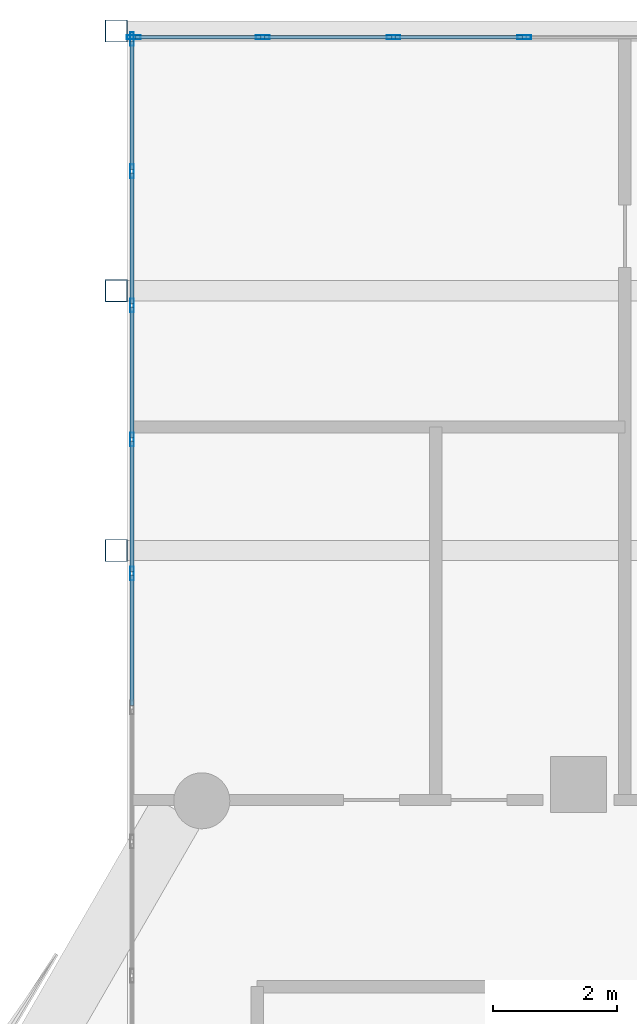
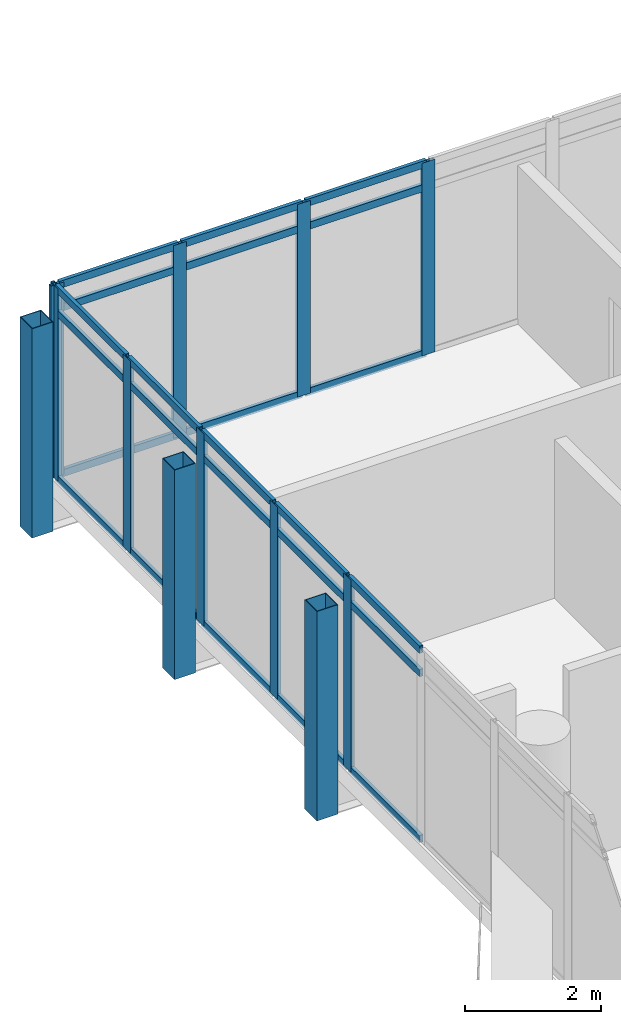
# One storey, part 19 of 37: 36 members, 2 elements without a shape of their own.
"""IFC4 building model written with IfcOpenShell, lengths in metres."""

from ifc_helpers import new_model, si_unit, direction, frame, origin, origin_2d, place, context, subcontext, project, spatial, hollow_rectangle, extrude, material, material_profile, profile_set, type_object, element, aggregate, save


model = new_model("IFC4")

# Units and contexts
model_context = context("Model", 3, precision=1e-05, world=origin(), true_north=direction((0.0, 1.0)))
body_context = subcontext(model_context, "Body", "Model", "MODEL_VIEW")
ifc_project = project(units=[si_unit("LENGTHUNIT", "METRE"), si_unit("AREAUNIT", "SQUARE_METRE"), si_unit("VOLUMEUNIT", "CUBIC_METRE"), si_unit("PLANEANGLEUNIT", "RADIAN"), si_unit("MASSUNIT", "GRAM", prefix="KILO")], contexts=[model_context])

# Site, building, storey
site_placement = place(None, origin())
site = spatial("IfcSite", under=ifc_project, at=site_placement, CompositionType="ELEMENT")
building_placement = place(site_placement, origin())
building = spatial("IfcBuilding", under=site, at=building_placement, Name="Ostrander Bayou Hotel Tower", CompositionType="ELEMENT")
storey_placement = place(building_placement, frame((0.0, 0.0, 225.75)))
storey = spatial("IfcBuildingStorey", under=building, at=storey_placement, Name="L56", CompositionType="ELEMENT", Elevation=225.75)

# Curtain wall, members
ifc_material_1 = material(Name="Aluminium and clear glass", Category="aluminium")
curtain_wall_type = type_object("IfcCurtainWallType", Name="CW-BAR glazed wall", PredefinedType="NOTDEFINED", material=ifc_material_1)
curtain_wall_1_placement = place(storey_placement, origin())
curtain_wall_1 = element("IfcCurtainWall", 1, at=curtain_wall_1_placement, inside=storey, type_object=curtain_wall_type, Name="CW-BAR L56:SB5N:E", PredefinedType="NOTDEFINED")
ifc_material_2 = material(Name="Aluminium", Category="aluminium")
ifc_material_profile_1 = material_profile(ifc_material_2, hollow_rectangle(XDim=0.06005859375, YDim=0.219970703125, WallThickness=0.00390625, at=origin_2d()))
ifc_profile_set_1 = profile_set([ifc_material_profile_1], Name="Aluminium")
member_type_1 = type_object("IfcMemberType", Name="CW-BR mullion 60 x 220 mm", PredefinedType="MULLION", material=ifc_profile_set_1)
member_1_placement = place(storey_placement, frame((-10.51220703125, 20.24365234375, 0.0), z_axis=(0.0, 0.0, 1.0), x_axis=(-1.0, 0.0, 0.0)))
member_1 = element("IfcMember", 2, at=member_1_placement, type_object=member_type_1, Name="CW-BAR mullion 6", PredefinedType="MULLION", context=body_context, shape_type="SweptSolid", body=[
    extrude(hollow_rectangle(XDim=0.06005859375, YDim=0.219970703125, WallThickness=0.00390625, at=origin_2d()), origin(), (0.0, 0.0, 1.0), 3.449951171875),
])
member_2_placement = place(storey_placement, frame((-10.51220703125, 22.3994140625, 0.0), z_axis=(0.0, 0.0, 1.0), x_axis=(-1.0, 0.0, 0.0)))
member_2 = element("IfcMember", 3, at=member_2_placement, type_object=member_type_1, Name="CW-BAR mullion 7", PredefinedType="MULLION", context=body_context, shape_type="SweptSolid", body=[
    extrude(hollow_rectangle(XDim=0.06005859375, YDim=0.219970703125, WallThickness=0.00390625, at=origin_2d()), origin(), (0.0, 0.0, 1.0), 3.449951171875),
])
member_3_placement = place(storey_placement, frame((-10.51220703125, 24.55517578125, 0.0), z_axis=(0.0, 0.0, 1.0), x_axis=(-1.0, 0.0, 0.0)))
member_3 = element("IfcMember", 4, at=member_3_placement, type_object=member_type_1, Name="CW-BAR mullion 8", PredefinedType="MULLION", context=body_context, shape_type="SweptSolid", body=[
    extrude(hollow_rectangle(XDim=0.06005859375, YDim=0.219970703125, WallThickness=0.00390625, at=origin_2d()), origin(), (0.0, 0.0, 1.0), 3.449951171875),
])
member_4_placement = place(storey_placement, frame((-10.51220703125, 26.7109375, 0.0), z_axis=(0.0, 0.0, 1.0), x_axis=(-1.0, 0.0, 0.0)))
member_4 = element("IfcMember", 5, at=member_4_placement, type_object=member_type_1, Name="CW-BAR mullion 9", PredefinedType="MULLION", context=body_context, shape_type="SweptSolid", body=[
    extrude(hollow_rectangle(XDim=0.06005859375, YDim=0.219970703125, WallThickness=0.00390625, at=origin_2d()), origin(), (0.0, 0.0, 1.0), 3.449951171875),
])
member_5_placement = place(storey_placement, frame((-10.51220703125, 28.836669921875, 0.0), z_axis=(0.0, 0.0, 1.0), x_axis=(-1.0, 0.0, 0.0)))
member_5 = element("IfcMember", 6, at=member_5_placement, type_object=member_type_1, Name="CW-BAR mullion 10", PredefinedType="MULLION", context=body_context, shape_type="SweptSolid", body=[
    extrude(hollow_rectangle(XDim=0.06005859375, YDim=0.219970703125, WallThickness=0.00390625, at=origin_2d()), origin(), (0.0, 0.0, 1.0), 3.449951171875),
])

curtain_wall_2_placement = place(storey_placement, origin())
curtain_wall_2 = element("IfcCurtainWall", 7, at=curtain_wall_2_placement, inside=storey, type_object=curtain_wall_type, Name="CW-BAR L56:SB5N:T", PredefinedType="NOTDEFINED")
member_6_placement = place(storey_placement, frame((-10.482177734375, 28.86669921875, 0.0), z_axis=(0.0, 0.0, 1.0), x_axis=(0.0, 1.0, 0.0)))
member_6 = element("IfcMember", 8, at=member_6_placement, type_object=member_type_1, Name="CW-BAR mullion 1", PredefinedType="MULLION", context=body_context, shape_type="SweptSolid", body=[
    extrude(hollow_rectangle(XDim=0.06005859375, YDim=0.219970703125, WallThickness=0.00390625, at=origin_2d()), origin(), (0.0, 0.0, 1.0), 3.449951171875),
])
member_7_placement = place(storey_placement, frame((-8.40966796875, 28.86669921875, 0.0), z_axis=(0.0, 0.0, 1.0), x_axis=(0.0, 1.0, 0.0)))
member_7 = element("IfcMember", 9, at=member_7_placement, type_object=member_type_1, Name="CW-BAR mullion 2", PredefinedType="MULLION", context=body_context, shape_type="SweptSolid", body=[
    extrude(hollow_rectangle(XDim=0.06005859375, YDim=0.219970703125, WallThickness=0.00390625, at=origin_2d()), origin(), (0.0, 0.0, 1.0), 3.449951171875),
])
member_8_placement = place(storey_placement, frame((-6.307373046875, 28.86669921875, 0.0), z_axis=(0.0, 0.0, 1.0), x_axis=(0.0, 1.0, 0.0)))
member_8 = element("IfcMember", 10, at=member_8_placement, type_object=member_type_1, Name="CW-BAR mullion 3", PredefinedType="MULLION", context=body_context, shape_type="SweptSolid", body=[
    extrude(hollow_rectangle(XDim=0.06005859375, YDim=0.219970703125, WallThickness=0.00390625, at=origin_2d()), origin(), (0.0, 0.0, 1.0), 3.449951171875),
])
member_9_placement = place(storey_placement, frame((-4.204833984375, 28.86669921875, 0.0), z_axis=(0.0, 0.0, 1.0), x_axis=(0.0, 1.0, 0.0)))
member_9 = element("IfcMember", 11, at=member_9_placement, type_object=member_type_1, Name="CW-BAR mullion 4", PredefinedType="MULLION", context=body_context, shape_type="SweptSolid", body=[
    extrude(hollow_rectangle(XDim=0.06005859375, YDim=0.219970703125, WallThickness=0.00390625, at=origin_2d()), origin(), (0.0, 0.0, 1.0), 3.449951171875),
])

# Member
ifc_material_3 = material(Name="Aluminium", Category="aluminium")
ifc_material_profile_2 = material_profile(ifc_material_3, hollow_rectangle(XDim=0.06005859375, YDim=0.1298828125, WallThickness=0.00390625, at=origin_2d()))
ifc_profile_set_2 = profile_set([ifc_material_profile_2], Name="Aluminium")
member_type_2 = type_object("IfcMemberType", Name="CW-BR transom 60 x 130 mm", PredefinedType="USERDEFINED", material=ifc_profile_set_2)
member_10_placement = place(storey_placement, frame((-10.51220703125, 18.117919921875, 0.030029296875), z_axis=(0.0, 1.0, 0.0), x_axis=(-1.0, 0.0, 0.0)))
member_10 = element("IfcMember", 12, at=member_10_placement, type_object=member_type_2, Name="CW-BAR transom 5.1", ObjectType="TRANSOM", PredefinedType="USERDEFINED", context=body_context, shape_type="SweptSolid", body=[
    extrude(hollow_rectangle(XDim=0.06005859375, YDim=0.1298828125, WallThickness=0.00390625, at=origin_2d()), origin(), (0.0, 0.0, 1.0), 2.095703125),
])

member_11_placement = place(storey_placement, frame((-10.51220703125, 18.117919921875, 3.0), z_axis=(0.0, 1.0, 0.0), x_axis=(-1.0, 0.0, 0.0)))
member_11 = element("IfcMember", 13, at=member_11_placement, type_object=member_type_2, Name="CW-BAR transom 5.2", ObjectType="TRANSOM", PredefinedType="USERDEFINED", context=body_context, shape_type="SweptSolid", body=[
    extrude(hollow_rectangle(XDim=0.06005859375, YDim=0.1298828125, WallThickness=0.00390625, at=origin_2d()), origin(), (0.0, 0.0, 1.0), 2.095703125),
])

member_12_placement = place(storey_placement, frame((-10.51220703125, 18.117919921875, 3.419921875), z_axis=(0.0, 1.0, 0.0), x_axis=(-1.0, 0.0, 0.0)))
member_12 = element("IfcMember", 14, at=member_12_placement, type_object=member_type_2, Name="CW-BAR transom 5.3", ObjectType="TRANSOM", PredefinedType="USERDEFINED", context=body_context, shape_type="SweptSolid", body=[
    extrude(hollow_rectangle(XDim=0.06005859375, YDim=0.1298828125, WallThickness=0.00390625, at=origin_2d()), origin(), (0.0, 0.0, 1.0), 2.095703125),
])

member_13_placement = place(storey_placement, frame((-10.51220703125, 20.273681640625, 0.030029296875), z_axis=(0.0, 1.0, 0.0), x_axis=(-1.0, 0.0, 0.0)))
member_13 = element("IfcMember", 15, at=member_13_placement, type_object=member_type_2, Name="CW-BAR transom 6.1", ObjectType="TRANSOM", PredefinedType="USERDEFINED", context=body_context, shape_type="SweptSolid", body=[
    extrude(hollow_rectangle(XDim=0.06005859375, YDim=0.1298828125, WallThickness=0.00390625, at=origin_2d()), origin(), (0.0, 0.0, 1.0), 2.095703125),
])

member_14_placement = place(storey_placement, frame((-10.51220703125, 20.273681640625, 3.0), z_axis=(0.0, 1.0, 0.0), x_axis=(-1.0, 0.0, 0.0)))
member_14 = element("IfcMember", 16, at=member_14_placement, type_object=member_type_2, Name="CW-BAR transom 6.2", ObjectType="TRANSOM", PredefinedType="USERDEFINED", context=body_context, shape_type="SweptSolid", body=[
    extrude(hollow_rectangle(XDim=0.06005859375, YDim=0.1298828125, WallThickness=0.00390625, at=origin_2d()), origin(), (0.0, 0.0, 1.0), 2.095703125),
])

member_15_placement = place(storey_placement, frame((-10.51220703125, 20.273681640625, 3.419921875), z_axis=(0.0, 1.0, 0.0), x_axis=(-1.0, 0.0, 0.0)))
member_15 = element("IfcMember", 17, at=member_15_placement, type_object=member_type_2, Name="CW-BAR transom 6.3", ObjectType="TRANSOM", PredefinedType="USERDEFINED", context=body_context, shape_type="SweptSolid", body=[
    extrude(hollow_rectangle(XDim=0.06005859375, YDim=0.1298828125, WallThickness=0.00390625, at=origin_2d()), origin(), (0.0, 0.0, 1.0), 2.095703125),
])

member_16_placement = place(storey_placement, frame((-10.51220703125, 22.429443359375, 0.030029296875), z_axis=(0.0, 1.0, 0.0), x_axis=(-1.0, 0.0, 0.0)))
member_16 = element("IfcMember", 18, at=member_16_placement, type_object=member_type_2, Name="CW-BAR transom 7.1", ObjectType="TRANSOM", PredefinedType="USERDEFINED", context=body_context, shape_type="SweptSolid", body=[
    extrude(hollow_rectangle(XDim=0.06005859375, YDim=0.1298828125, WallThickness=0.00390625, at=origin_2d()), origin(), (0.0, 0.0, 1.0), 2.095703125),
])

member_17_placement = place(storey_placement, frame((-10.51220703125, 22.429443359375, 3.0), z_axis=(0.0, 1.0, 0.0), x_axis=(-1.0, 0.0, 0.0)))
member_17 = element("IfcMember", 19, at=member_17_placement, type_object=member_type_2, Name="CW-BAR transom 7.2", ObjectType="TRANSOM", PredefinedType="USERDEFINED", context=body_context, shape_type="SweptSolid", body=[
    extrude(hollow_rectangle(XDim=0.06005859375, YDim=0.1298828125, WallThickness=0.00390625, at=origin_2d()), origin(), (0.0, 0.0, 1.0), 2.095703125),
])

member_18_placement = place(storey_placement, frame((-10.51220703125, 22.429443359375, 3.419921875), z_axis=(0.0, 1.0, 0.0), x_axis=(-1.0, 0.0, 0.0)))
member_18 = element("IfcMember", 20, at=member_18_placement, type_object=member_type_2, Name="CW-BAR transom 7.3", ObjectType="TRANSOM", PredefinedType="USERDEFINED", context=body_context, shape_type="SweptSolid", body=[
    extrude(hollow_rectangle(XDim=0.06005859375, YDim=0.1298828125, WallThickness=0.00390625, at=origin_2d()), origin(), (0.0, 0.0, 1.0), 2.095703125),
])

member_19_placement = place(storey_placement, frame((-10.51220703125, 24.585205078125, 0.030029296875), z_axis=(0.0, 1.0, 0.0), x_axis=(-1.0, 0.0, 0.0)))
member_19 = element("IfcMember", 21, at=member_19_placement, type_object=member_type_2, Name="CW-BAR transom 8.1", ObjectType="TRANSOM", PredefinedType="USERDEFINED", context=body_context, shape_type="SweptSolid", body=[
    extrude(hollow_rectangle(XDim=0.06005859375, YDim=0.1298828125, WallThickness=0.00390625, at=origin_2d()), origin(), (0.0, 0.0, 1.0), 2.095703125),
])

member_20_placement = place(storey_placement, frame((-10.51220703125, 24.585205078125, 3.0), z_axis=(0.0, 1.0, 0.0), x_axis=(-1.0, 0.0, 0.0)))
member_20 = element("IfcMember", 22, at=member_20_placement, type_object=member_type_2, Name="CW-BAR transom 8.2", ObjectType="TRANSOM", PredefinedType="USERDEFINED", context=body_context, shape_type="SweptSolid", body=[
    extrude(hollow_rectangle(XDim=0.06005859375, YDim=0.1298828125, WallThickness=0.00390625, at=origin_2d()), origin(), (0.0, 0.0, 1.0), 2.095703125),
])

member_21_placement = place(storey_placement, frame((-10.51220703125, 24.585205078125, 3.419921875), z_axis=(0.0, 1.0, 0.0), x_axis=(-1.0, 0.0, 0.0)))
member_21 = element("IfcMember", 23, at=member_21_placement, type_object=member_type_2, Name="CW-BAR transom 8.3", ObjectType="TRANSOM", PredefinedType="USERDEFINED", context=body_context, shape_type="SweptSolid", body=[
    extrude(hollow_rectangle(XDim=0.06005859375, YDim=0.1298828125, WallThickness=0.00390625, at=origin_2d()), origin(), (0.0, 0.0, 1.0), 2.095703125),
])

member_22_placement = place(storey_placement, frame((-10.51220703125, 26.740966796875, 0.030029296875), z_axis=(0.0, 1.0, 0.0), x_axis=(-1.0, 0.0, 0.0)))
member_22 = element("IfcMember", 24, at=member_22_placement, type_object=member_type_2, Name="CW-BAR transom 9.1", ObjectType="TRANSOM", PredefinedType="USERDEFINED", context=body_context, shape_type="SweptSolid", body=[
    extrude(hollow_rectangle(XDim=0.06005859375, YDim=0.1298828125, WallThickness=0.00390625, at=origin_2d()), origin(), (0.0, 0.0, 1.0), 2.065673828125),
])

member_23_placement = place(storey_placement, frame((-10.51220703125, 26.740966796875, 3.0), z_axis=(0.0, 1.0, 0.0), x_axis=(-1.0, 0.0, 0.0)))
member_23 = element("IfcMember", 25, at=member_23_placement, type_object=member_type_2, Name="CW-BAR transom 9.2", ObjectType="TRANSOM", PredefinedType="USERDEFINED", context=body_context, shape_type="SweptSolid", body=[
    extrude(hollow_rectangle(XDim=0.06005859375, YDim=0.1298828125, WallThickness=0.00390625, at=origin_2d()), origin(), (0.0, 0.0, 1.0), 2.065673828125),
])

member_24_placement = place(storey_placement, frame((-10.51220703125, 26.740966796875, 3.419921875), z_axis=(0.0, 1.0, 0.0), x_axis=(-1.0, 0.0, 0.0)))
member_24 = element("IfcMember", 26, at=member_24_placement, type_object=member_type_2, Name="CW-BAR transom 9.3", ObjectType="TRANSOM", PredefinedType="USERDEFINED", context=body_context, shape_type="SweptSolid", body=[
    extrude(hollow_rectangle(XDim=0.06005859375, YDim=0.1298828125, WallThickness=0.00390625, at=origin_2d()), origin(), (0.0, 0.0, 1.0), 2.065673828125),
])

aggregate(curtain_wall_1, [member_1, member_2, member_3, member_4, member_5, member_10, member_11, member_12, member_13, member_14, member_15, member_16, member_17, member_18, member_19, member_20, member_21, member_22, member_23, member_24])

member_25_placement = place(storey_placement, frame((-10.4521484375, 28.86669921875, 0.030029296875), z_axis=(1.0, 0.0, 0.0), x_axis=(0.0, 1.0, 0.0)))
member_25 = element("IfcMember", 27, at=member_25_placement, type_object=member_type_2, Name="CW-BAR transom 1.1", ObjectType="TRANSOM", PredefinedType="USERDEFINED", context=body_context, shape_type="SweptSolid", body=[
    extrude(hollow_rectangle(XDim=0.06005859375, YDim=0.1298828125, WallThickness=0.00390625, at=origin_2d()), origin(), (0.0, 0.0, 1.0), 2.012451171875),
])

member_26_placement = place(storey_placement, frame((-10.4521484375, 28.86669921875, 3.0), z_axis=(1.0, 0.0, 0.0), x_axis=(0.0, 1.0, 0.0)))
member_26 = element("IfcMember", 28, at=member_26_placement, type_object=member_type_2, Name="CW-BAR transom 1.2", ObjectType="TRANSOM", PredefinedType="USERDEFINED", context=body_context, shape_type="SweptSolid", body=[
    extrude(hollow_rectangle(XDim=0.06005859375, YDim=0.1298828125, WallThickness=0.00390625, at=origin_2d()), origin(), (0.0, 0.0, 1.0), 2.012451171875),
])

member_27_placement = place(storey_placement, frame((-10.4521484375, 28.86669921875, 3.419921875), z_axis=(1.0, 0.0, 0.0), x_axis=(0.0, 1.0, 0.0)))
member_27 = element("IfcMember", 29, at=member_27_placement, type_object=member_type_2, Name="CW-BAR transom 1.3", ObjectType="TRANSOM", PredefinedType="USERDEFINED", context=body_context, shape_type="SweptSolid", body=[
    extrude(hollow_rectangle(XDim=0.06005859375, YDim=0.1298828125, WallThickness=0.00390625, at=origin_2d()), origin(), (0.0, 0.0, 1.0), 2.012451171875),
])

member_28_placement = place(storey_placement, frame((-8.379638671875, 28.86669921875, 0.030029296875), z_axis=(1.0, 0.0, 0.0), x_axis=(0.0, 1.0, 0.0)))
member_28 = element("IfcMember", 30, at=member_28_placement, type_object=member_type_2, Name="CW-BAR transom 2.1", ObjectType="TRANSOM", PredefinedType="USERDEFINED", context=body_context, shape_type="SweptSolid", body=[
    extrude(hollow_rectangle(XDim=0.06005859375, YDim=0.1298828125, WallThickness=0.00390625, at=origin_2d()), origin(), (0.0, 0.0, 1.0), 2.042236328125),
])

member_29_placement = place(storey_placement, frame((-8.379638671875, 28.86669921875, 3.0), z_axis=(1.0, 0.0, 0.0), x_axis=(0.0, 1.0, 0.0)))
member_29 = element("IfcMember", 31, at=member_29_placement, type_object=member_type_2, Name="CW-BAR transom 2.2", ObjectType="TRANSOM", PredefinedType="USERDEFINED", context=body_context, shape_type="SweptSolid", body=[
    extrude(hollow_rectangle(XDim=0.06005859375, YDim=0.1298828125, WallThickness=0.00390625, at=origin_2d()), origin(), (0.0, 0.0, 1.0), 2.042236328125),
])

member_30_placement = place(storey_placement, frame((-8.379638671875, 28.86669921875, 3.419921875), z_axis=(1.0, 0.0, 0.0), x_axis=(0.0, 1.0, 0.0)))
member_30 = element("IfcMember", 32, at=member_30_placement, type_object=member_type_2, Name="CW-BAR transom 2.3", ObjectType="TRANSOM", PredefinedType="USERDEFINED", context=body_context, shape_type="SweptSolid", body=[
    extrude(hollow_rectangle(XDim=0.06005859375, YDim=0.1298828125, WallThickness=0.00390625, at=origin_2d()), origin(), (0.0, 0.0, 1.0), 2.042236328125),
])

member_31_placement = place(storey_placement, frame((-6.27734375, 28.86669921875, 0.030029296875), z_axis=(1.0, 0.0, 0.0), x_axis=(0.0, 1.0, 0.0)))
member_31 = element("IfcMember", 33, at=member_31_placement, type_object=member_type_2, Name="CW-BAR transom 3.1", ObjectType="TRANSOM", PredefinedType="USERDEFINED", context=body_context, shape_type="SweptSolid", body=[
    extrude(hollow_rectangle(XDim=0.06005859375, YDim=0.1298828125, WallThickness=0.00390625, at=origin_2d()), origin(), (0.0, 0.0, 1.0), 2.04248046875),
])

member_32_placement = place(storey_placement, frame((-6.27734375, 28.86669921875, 3.0), z_axis=(1.0, 0.0, 0.0), x_axis=(0.0, 1.0, 0.0)))
member_32 = element("IfcMember", 34, at=member_32_placement, type_object=member_type_2, Name="CW-BAR transom 3.2", ObjectType="TRANSOM", PredefinedType="USERDEFINED", context=body_context, shape_type="SweptSolid", body=[
    extrude(hollow_rectangle(XDim=0.06005859375, YDim=0.1298828125, WallThickness=0.00390625, at=origin_2d()), origin(), (0.0, 0.0, 1.0), 2.04248046875),
])

member_33_placement = place(storey_placement, frame((-6.27734375, 28.86669921875, 3.419921875), z_axis=(1.0, 0.0, 0.0), x_axis=(0.0, 1.0, 0.0)))
member_33 = element("IfcMember", 35, at=member_33_placement, type_object=member_type_2, Name="CW-BAR transom 3.3", ObjectType="TRANSOM", PredefinedType="USERDEFINED", context=body_context, shape_type="SweptSolid", body=[
    extrude(hollow_rectangle(XDim=0.06005859375, YDim=0.1298828125, WallThickness=0.00390625, at=origin_2d()), origin(), (0.0, 0.0, 1.0), 2.04248046875),
])

aggregate(curtain_wall_2, [member_6, member_7, member_8, member_9, member_25, member_26, member_27, member_28, member_29, member_30, member_31, member_32, member_33])

# Members
ifc_material_4 = material(Name="Steel ASTM A500 Gr C", Category="steel")
ifc_material_profile_3 = material_profile(ifc_material_4, hollow_rectangle(XDim=0.355712890625, YDim=0.355712890625, WallThickness=0.01171875, at=origin_2d()))
ifc_profile_set_3 = profile_set([ifc_material_profile_3], Name="Steel ASTM A500 Gr C")
member_type_3 = type_object("IfcMemberType", Name="TH2 bar hanger HSS14x14x1/2", PredefinedType="POST", material=ifc_profile_set_3)
for number, where, z_axis, x_axis, name in (
    (36, (-10.764892578125, 28.966552734375, -0.9111328125), (0.0, 0.0, 1.0), (1.0, 0.0, 0.0), "TH2 SB5WA H1-2"),
    (37, (-10.764892578125, 24.790283203125, -0.9111328125), (0.0, 0.0, 1.0), (1.0, 0.0, 0.0), "TH2 SB5WA H2-2"),
    (38, (-10.764892578125, 20.6142578125, -0.9111328125), (0.0, 0.0, 1.0), (1.0, 0.0, 0.0), "TH2 SB5WA H3-2"),
):
    element("IfcMember", number, at=place(storey_placement, frame(where, z_axis=z_axis, x_axis=x_axis)), inside=storey, type_object=member_type_3, Name=name, PredefinedType="POST", context=body_context, shape_type="SweptSolid", body=[
        extrude(hollow_rectangle(XDim=0.355712890625, YDim=0.355712890625, WallThickness=0.01171875, at=origin_2d()), origin(), (0.0, 0.0, 1.0), 3.75),
    ])

save(model, "model.ifc")
